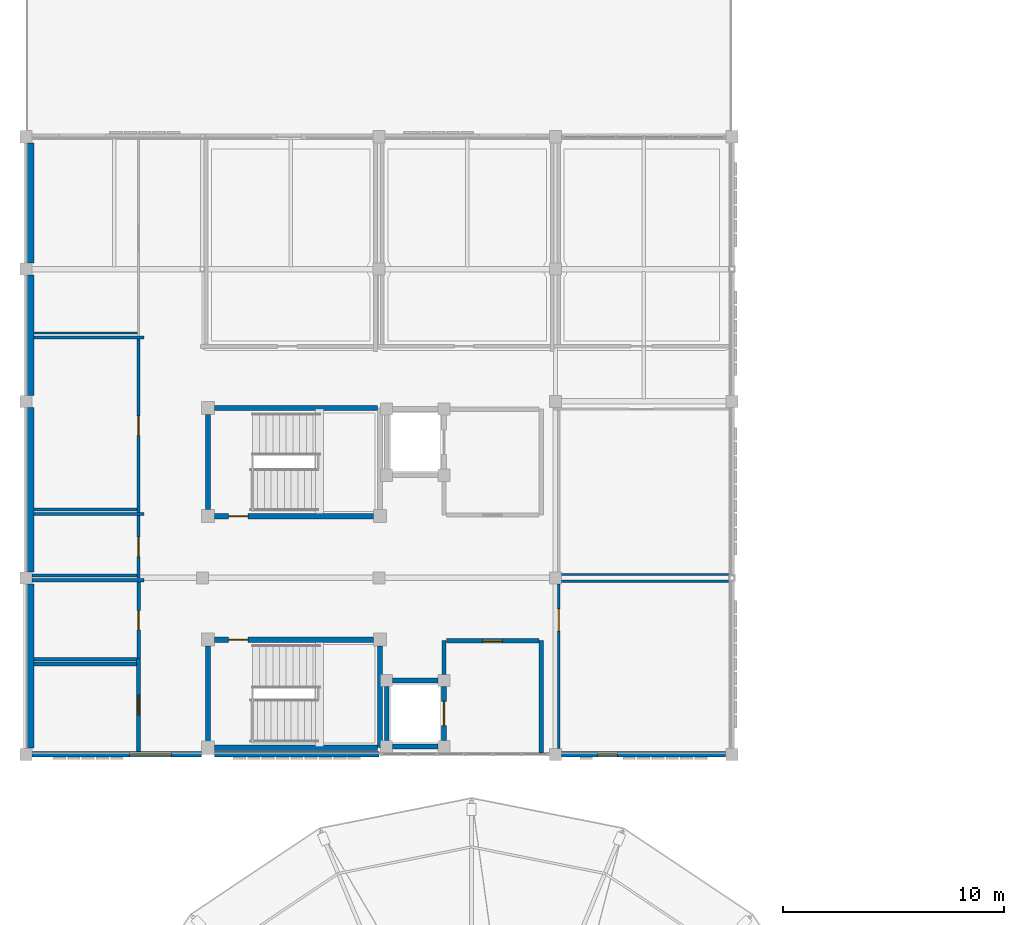
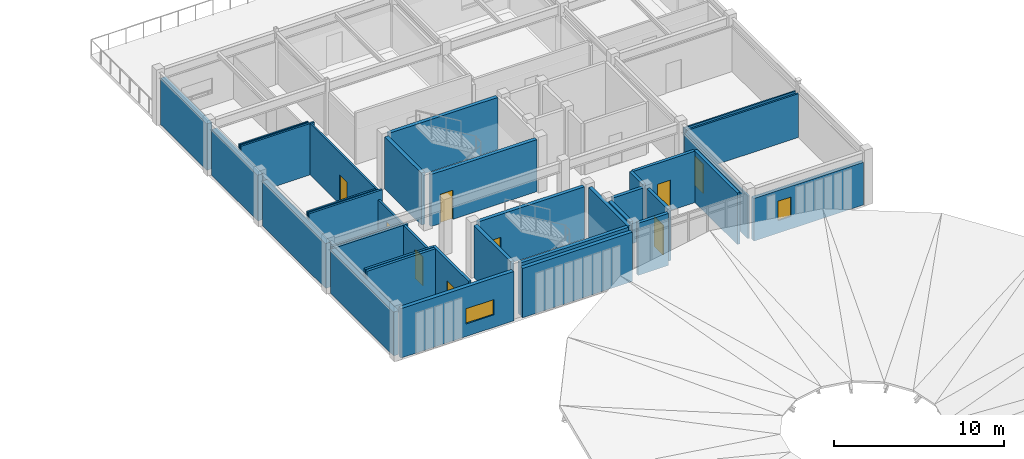
# One storey, part 26 of 31: 36 walls, 9 doors, 2 windows, 11 openings.
"""IFC4 building model written with IfcOpenShell, lengths in metres."""

from ifc_helpers import new_model, si_unit, direction, frame, frame_2d, origin, place, context, subcontext, project, spatial, rectangle, extrude, material, layer, layer_set, type_object, element, fill, save


model = new_model("IFC4")

# Units and contexts
model_context = context("Model", 3, precision=1e-05, world=origin(), true_north=direction((0.0, 1.0)))
body_context = subcontext(model_context, "Body", "Model", "MODEL_VIEW")
ifc_project = project(units=[si_unit("LENGTHUNIT", "METRE"), si_unit("AREAUNIT", "SQUARE_METRE"), si_unit("VOLUMEUNIT", "CUBIC_METRE"), si_unit("PLANEANGLEUNIT", "RADIAN"), si_unit("MASSUNIT", "GRAM", prefix="KILO")], contexts=[model_context])

# Site, building, storey
site_placement = place(None, origin())
site = spatial("IfcSite", under=ifc_project, at=site_placement, CompositionType="ELEMENT")
building_placement = place(site_placement, origin())
building = spatial("IfcBuilding", under=site, at=building_placement, Name="Celadon Cloister-Ring School", CompositionType="ELEMENT")
storey_placement = place(building_placement, frame((0.0, 0.0, 16.5)))
storey = spatial("IfcBuildingStorey", under=building, at=storey_placement, Name="L04", CompositionType="ELEMENT", Elevation=16.5)

# Wall, opening, window
ifc_material_1 = material(Name="Rendered concrete blockwork", Category="masonry")
ifc_layer_1 = layer(ifc_material_1, 0.260009765625)
ifc_layer_set_1 = layer_set([ifc_layer_1], Name="Rendered concrete blockwork")
wall_type_1 = type_object("IfcWallType", Name="WT-EX2", PredefinedType="SOLIDWALL", material=ifc_layer_set_1)
wall_1_placement = place(storey_placement, frame((31.722900390625, 40.0, 0.0), z_axis=(0.0, 0.0, 1.0), x_axis=(-1.0, 0.0, 0.0)))
wall_1 = element("IfcWall", 1, at=wall_1_placement, inside=storey, type_object=wall_type_1, Name="Exterior Wall 0550", PredefinedType="SOLIDWALL", context=body_context, shape_type="SweptSolid", body=[
    extrude(rectangle(XDim=7.44580078125, YDim=0.260009765625, at=frame_2d((3.722900390625, 0.0))), origin(), (0.0, 0.0, 1.0), 3.068115234375),
])
opening_1_placement = place(wall_1_placement, frame((4.910888671875, 0.0, 0.89990234375)))
opening_1 = element("IfcOpeningElement", 2, at=opening_1_placement, cuts=wall_1, Name="Opening WN-21", PredefinedType="OPENING", context=body_context, shape_type="SweptSolid", body=[
    extrude(rectangle(XDim=0.89990234375, YDim=1.39990234375, at=frame_2d((0.449951171875, 0.699951171875))), frame((0.0, 0.14013671875, 0.0), z_axis=(0.0, -1.0, 0.0), x_axis=(1.0, 0.0, 0.0)), (0.0, 0.0, 1.0), 0.280029296875),
])
ifc_material_2 = material(Name="Tempered laminated insulating glass", Category="glass")
window_type_1 = type_object("IfcWindowType", Name="WN-21", PartitioningType="SINGLE_PANEL", PredefinedType="WINDOW", material=ifc_material_2)
window_1_placement = place(opening_1_placement, origin())
window_1 = element("IfcWindow", 3, at=window_1_placement, inside=storey, type_object=window_type_1, Name="Window 1012", OverallHeight=1.39990234375, OverallWidth=0.89990234375, PartitioningType="SINGLE_PANEL", PredefinedType="WINDOW", context=body_context, shape_type="SweptSolid", body=[
    extrude(rectangle(XDim=0.89990234375, YDim=1.39990234375, at=frame_2d((0.449951171875, 0.699951171875))), frame((0.0, 0.030029296875, 0.0), z_axis=(0.0, -1.0, 0.0), x_axis=(1.0, 0.0, 0.0)), (0.0, 0.0, 1.0), 0.06005859375),
])
fill(opening_1, window_1)

# Wall
wall_2_placement = place(storey_placement, frame((16.0, 40.0, 0.0), z_axis=(0.0, 0.0, 1.0), x_axis=(-1.0, 0.0, 0.0)))
element("IfcWall", 4, at=wall_2_placement, inside=storey, type_object=wall_type_1, Name="Exterior Wall 0551", PredefinedType="SOLIDWALL", context=body_context, shape_type="SweptSolid", body=[
    extrude(rectangle(XDim=7.447998046875, YDim=0.260009765625, at=frame_2d((3.72412109375, 0.0))), origin(), (0.0, 0.0, 1.0), 3.550048828125),
])

# Wall, opening, window
wall_3_placement = place(storey_placement, frame((7.947998046875, 40.0, 0.0), z_axis=(0.0, 0.0, 1.0), x_axis=(-1.0, 0.0, 0.0)))
wall_3 = element("IfcWall", 5, at=wall_3_placement, inside=storey, type_object=wall_type_1, Name="Exterior Wall 0552", PredefinedType="SOLIDWALL", context=body_context, shape_type="SweptSolid", body=[
    extrude(rectangle(XDim=7.6708984375, YDim=0.260009765625, at=frame_2d((3.83544921875, 0.0))), origin(), (0.0, 0.0, 1.0), 3.550048828125),
])
opening_2_placement = place(wall_3_placement, frame((1.35107421875, 0.0, 0.89990234375)))
opening_2 = element("IfcOpeningElement", 6, at=opening_2_placement, cuts=wall_3, Name="Opening WN-08", PredefinedType="OPENING", context=body_context, shape_type="SweptSolid", body=[
    extrude(rectangle(XDim=1.89990234375, YDim=1.10009765625, at=frame_2d((0.949951171875, 0.550048828125))), frame((0.0, 0.14013671875, 0.0), z_axis=(0.0, -1.0, 0.0), x_axis=(1.0, 0.0, 0.0)), (0.0, 0.0, 1.0), 0.280029296875),
])
ifc_material_3 = material(Name="Tempered laminated insulating glass", Category="glass")
window_type_2 = type_object("IfcWindowType", Name="WN-08", PartitioningType="DOUBLE_PANEL_VERTICAL", PredefinedType="WINDOW", material=ifc_material_3)
window_2_placement = place(opening_2_placement, origin())
window_2 = element("IfcWindow", 7, at=window_2_placement, inside=storey, type_object=window_type_2, Name="Window 1013", OverallHeight=1.10009765625, OverallWidth=1.89990234375, PartitioningType="SINGLE_PANEL", PredefinedType="WINDOW", context=body_context, shape_type="SweptSolid", body=[
    extrude(rectangle(XDim=1.89990234375, YDim=1.10009765625, at=frame_2d((0.949951171875, 0.550048828125))), frame((0.0, 0.030029296875, 0.0), z_axis=(0.0, -1.0, 0.0), x_axis=(1.0, 0.0, 0.0)), (0.0, 0.0, 1.0), 0.06005859375),
])
fill(opening_2, window_2)

# Walls
ifc_material_4 = material(Name="Concrete C40/50", Category="concrete")
ifc_layer_2 = layer(ifc_material_4, 0.35009765625)
ifc_layer_set_2 = layer_set([ifc_layer_2], Name="Concrete C40/50")
wall_type_2 = type_object("IfcWallType", Name="WT-FW2", PredefinedType="SHEAR", material=ifc_layer_set_2)
wall_4_placement = place(storey_placement, frame((0.175048828125, 40.277099609375, 0.0), z_axis=(0.0, 0.0, 1.0), x_axis=(0.0, 1.0, 0.0)))
element("IfcWall", 8, at=wall_4_placement, inside=storey, type_object=wall_type_2, Name="Exterior Wall 0553", PredefinedType="SHEAR", context=body_context, shape_type="SweptSolid", body=[
    extrude(rectangle(XDim=7.44580078125, YDim=0.35009765625, at=frame_2d((3.722900390625, 0.0))), origin(), (0.0, 0.0, 1.0), 3.14892578125),
])
wall_5_placement = place(storey_placement, frame((0.175048828125, 48.277099609375, 0.0), z_axis=(0.0, 0.0, 1.0), x_axis=(0.0, 1.0, 0.0)))
element("IfcWall", 9, at=wall_5_placement, inside=storey, type_object=wall_type_2, Name="Exterior Wall 0554", PredefinedType="SHEAR", context=body_context, shape_type="SweptSolid", body=[
    extrude(rectangle(XDim=7.44580078125, YDim=0.35009765625, at=frame_2d((3.722900390625, 0.0))), origin(), (0.0, 0.0, 1.0), 3.222900390625),
])
wall_6_placement = place(storey_placement, frame((0.175048828125, 56.277099609375, 0.0), z_axis=(0.0, 0.0, 1.0), x_axis=(0.0, 1.0, 0.0)))
element("IfcWall", 10, at=wall_6_placement, inside=storey, type_object=wall_type_2, Name="Exterior Wall 0555", PredefinedType="SHEAR", context=body_context, shape_type="SweptSolid", body=[
    extrude(rectangle(XDim=5.44580078125, YDim=0.35009765625, at=frame_2d((2.722900390625, 0.0))), origin(), (0.0, 0.0, 1.0), 3.294921875),
])
wall_7_placement = place(storey_placement, frame((0.175048828125, 62.277099609375, 0.0), z_axis=(0.0, 0.0, 1.0), x_axis=(0.0, 1.0, 0.0)))
element("IfcWall", 11, at=wall_7_placement, inside=storey, type_object=wall_type_2, Name="Exterior Wall 0556", PredefinedType="SHEAR", context=body_context, shape_type="SweptSolid", body=[
    extrude(rectangle(XDim=5.44580078125, YDim=0.35009765625, at=frame_2d((2.722900390625, 0.0))), origin(), (0.0, 0.0, 1.0), 3.344970703125),
])
ifc_material_5 = material(Name="Plastered hollow concrete masonry", Category="masonry")
ifc_layer_3 = layer(ifc_material_5, 0.199951171875)
ifc_layer_set_3 = layer_set([ifc_layer_3], Name="Plastered hollow concrete masonry")
wall_type_3 = type_object("IfcWallType", Name="WT-PT1", PredefinedType="PARTITIONING", material=ifc_layer_set_3)
wall_8_placement = place(storey_placement, frame((18.949951171875, 43.616943359375, 0.0), z_axis=(0.0, 0.0, 1.0), x_axis=(0.0, 1.0, 0.0)))
element("IfcWall", 12, at=wall_8_placement, inside=storey, type_object=wall_type_3, Name="Interior Wall 0241", PredefinedType="PARTITIONING", context=body_context, shape_type="SweptSolid", body=[
    extrude(rectangle(XDim=1.532958984375, YDim=0.199951171875, at=frame_2d((0.7666015625, 0.0))), origin(), (0.0, 0.0, 1.0), 3.699951171875),
])
wall_9_placement = place(storey_placement, frame((23.35009765625, 40.05810546875, 0.0), z_axis=(0.0, 0.0, 1.0), x_axis=(0.0, 1.0, 0.0)))
element("IfcWall", 13, at=wall_9_placement, inside=storey, type_object=wall_type_3, Name="Interior Wall 0242", PredefinedType="PARTITIONING", context=body_context, shape_type="SweptSolid", body=[
    extrude(rectangle(XDim=5.091796875, YDim=0.199951171875, at=frame_2d((2.5458984375, 0.0))), origin(), (0.0, 0.0, 1.0), 3.699951171875),
])

# Wall, opening, door
wall_10_placement = place(storey_placement, frame((19.052978515625, 45.14990234375, 0.0), z_axis=(0.0, 0.0, 1.0), x_axis=(1.0, 0.0, 0.0)))
wall_10 = element("IfcWall", 14, at=wall_10_placement, inside=storey, type_object=wall_type_3, Name="Interior Wall 0243", PredefinedType="PARTITIONING", context=body_context, shape_type="SweptSolid", body=[
    extrude(rectangle(XDim=4.194091796875, YDim=0.199951171875, at=frame_2d((2.09716796875, 0.0))), origin(), (0.0, 0.0, 1.0), 3.699951171875),
])
opening_3_placement = place(wall_10_placement, frame((1.64697265625, 0.0, 0.0)))
opening_3 = element("IfcOpeningElement", 15, at=opening_3_placement, cuts=wall_10, Name="Opening D-0089", PredefinedType="OPENING", context=body_context, shape_type="SweptSolid", body=[
    extrude(rectangle(XDim=0.89990234375, YDim=2.199951171875, at=frame_2d((0.449951171875, 1.10009765625))), frame((0.0, 0.10986328125, 0.0), z_axis=(0.0, -1.0, 0.0), x_axis=(1.0, 0.0, 0.0)), (0.0, 0.0, 1.0), 0.219970703125),
])
ifc_material_6 = material(Name="Solid-core fire-rated hardwood leaf", Category="wood")
door_type_1 = type_object("IfcDoorType", Name="DT-06", OperationType="NOTDEFINED", PredefinedType="DOOR", material=ifc_material_6)
door_1_placement = place(opening_3_placement, origin())
door_1 = element("IfcDoor", 16, at=door_1_placement, inside=storey, type_object=door_type_1, Name="Door D-0089", OperationType="SINGLE_SWING_LEFT", OverallHeight=2.199951171875, OverallWidth=0.89990234375, PredefinedType="DOOR", context=body_context, shape_type="SweptSolid", body=[
    extrude(rectangle(XDim=0.89990234375, YDim=2.199951171875, at=frame_2d((0.449951171875, 1.10009765625))), frame((0.0, 0.02490234375, 0.0), z_axis=(0.0, -1.0, 0.0), x_axis=(1.0, 0.0, 0.0)), (0.0, 0.0, 1.0), 0.050048828125),
])
fill(opening_3, door_1)

ifc_material_7 = material(Name="Plastered hollow concrete masonry", Category="masonry")
ifc_layer_4 = layer(ifc_material_7, 0.179931640625)
ifc_layer_set_4 = layer_set([ifc_layer_4], Name="Plastered hollow concrete masonry")
wall_type_4 = type_object("IfcWallType", Name="WT-PT2", PredefinedType="PARTITIONING", material=ifc_layer_set_4)
wall_11_placement = place(storey_placement, frame((5.10009765625, 44.340087890625, 0.0), z_axis=(0.0, 0.0, 1.0), x_axis=(0.0, -1.0, 0.0)))
wall_11 = element("IfcWall", 17, at=wall_11_placement, inside=storey, type_object=wall_type_4, Name="Interior Wall 1134", PredefinedType="PARTITIONING", context=body_context, shape_type="SweptSolid", body=[
    extrude(rectangle(XDim=4.20703125, YDim=0.179931640625, at=frame_2d((2.103515625, 0.0))), origin(), (0.0, 0.0, 1.0), 3.699951171875),
])
opening_4_placement = place(wall_11_placement, frame((1.654052734375, 0.0, 0.0)))
opening_4 = element("IfcOpeningElement", 18, at=opening_4_placement, cuts=wall_11, Name="Opening D-0402", PredefinedType="OPENING", context=body_context, shape_type="SweptSolid", body=[
    extrude(rectangle(XDim=0.89990234375, YDim=2.199951171875, at=frame_2d((0.449951171875, 1.10009765625))), frame((0.0, 0.10009765625, 0.0), z_axis=(0.0, -1.0, 0.0), x_axis=(1.0, 0.0, 0.0)), (0.0, 0.0, 1.0), 0.199951171875),
])
door_2_placement = place(opening_4_placement, origin())
door_2 = element("IfcDoor", 19, at=door_2_placement, inside=storey, type_object=door_type_1, Name="Door D-0402", OperationType="SINGLE_SWING_RIGHT", OverallHeight=2.199951171875, OverallWidth=0.89990234375, PredefinedType="DOOR", context=body_context, shape_type="SweptSolid", body=[
    extrude(rectangle(XDim=0.89990234375, YDim=2.199951171875, at=frame_2d((0.449951171875, 1.10009765625))), frame((0.0, 0.02490234375, 0.0), z_axis=(0.0, -1.0, 0.0), x_axis=(1.0, 0.0, 0.0)), (0.0, 0.0, 1.0), 0.050048828125),
])
fill(opening_4, door_2)

# Walls
wall_12_placement = place(storey_placement, frame((0.35302734375, 44.10009765625, 0.0), z_axis=(0.0, 0.0, 1.0), x_axis=(1.0, 0.0, 0.0)))
element("IfcWall", 20, at=wall_12_placement, inside=storey, type_object=wall_type_4, Name="Interior Wall 1135", PredefinedType="PARTITIONING", context=body_context, shape_type="SweptSolid", body=[
    extrude(rectangle(XDim=4.654052734375, YDim=0.179931640625, at=frame_2d((2.3271484375, 0.0))), origin(), (0.0, 0.0, 1.0), 3.699951171875),
])
ifc_material_8 = material(Name="Plastered hollow concrete masonry", Category="masonry")
ifc_layer_5 = layer(ifc_material_8, 0.159912109375)
ifc_layer_set_5 = layer_set([ifc_layer_5], Name="Plastered hollow concrete masonry")
wall_type_5 = type_object("IfcWallType", Name="WT-PT3", PredefinedType="PARTITIONING", material=ifc_layer_set_5)
wall_13_placement = place(storey_placement, frame((0.26708984375, 47.89990234375, 0.0), z_axis=(0.0, 0.0, 1.0), x_axis=(1.0, 0.0, 0.0)))
element("IfcWall", 21, at=wall_13_placement, inside=storey, type_object=wall_type_5, Name="Interior Wall 1136", PredefinedType="PARTITIONING", context=body_context, shape_type="SweptSolid", body=[
    extrude(rectangle(XDim=5.072998046875, YDim=0.159912109375, at=frame_2d((2.53662109375, 0.0))), origin(), (0.0, 0.0, 1.0), 3.068115234375),
])

# Wall, opening, door
wall_14_placement = place(storey_placement, frame((5.10009765625, 47.81689453125, 0.0), z_axis=(0.0, 0.0, 1.0), x_axis=(0.0, -1.0, 0.0)))
wall_14 = element("IfcWall", 22, at=wall_14_placement, inside=storey, type_object=wall_type_5, Name="Interior Wall 1137", PredefinedType="PARTITIONING", context=body_context, shape_type="SweptSolid", body=[
    extrude(rectangle(XDim=3.476806640625, YDim=0.159912109375, at=frame_2d((1.73828125, 0.0))), origin(), (0.0, 0.0, 1.0), 3.068115234375),
])
opening_5_placement = place(wall_14_placement, frame((1.298095703125, 0.0, 0.0)))
opening_5 = element("IfcOpeningElement", 23, at=opening_5_placement, cuts=wall_14, Name="Opening D-0403", PredefinedType="OPENING", context=body_context, shape_type="SweptSolid", body=[
    extrude(rectangle(XDim=0.8798828125, YDim=2.10009765625, at=frame_2d((0.43994140625, 1.050048828125))), frame((0.0, 0.08984375, 0.0), z_axis=(0.0, -1.0, 0.0), x_axis=(1.0, 0.0, 0.0)), (0.0, 0.0, 1.0), 0.179931640625),
])
ifc_material_9 = material(Name="Solid-core fire-rated hardwood leaf", Category="wood")
door_type_2 = type_object("IfcDoorType", Name="DT-01", OperationType="NOTDEFINED", PredefinedType="DOOR", material=ifc_material_9)
door_3_placement = place(opening_5_placement, origin())
door_3 = element("IfcDoor", 24, at=door_3_placement, inside=storey, type_object=door_type_2, Name="Door D-0403", OperationType="SINGLE_SWING_LEFT", OverallHeight=2.10009765625, OverallWidth=0.8798828125, PredefinedType="DOOR", context=body_context, shape_type="SweptSolid", body=[
    extrude(rectangle(XDim=0.8798828125, YDim=2.10009765625, at=frame_2d((0.43994140625, 1.050048828125))), frame((0.0, 0.02490234375, 0.0), z_axis=(0.0, -1.0, 0.0), x_axis=(1.0, 0.0, 0.0)), (0.0, 0.0, 1.0), 0.050048828125),
])
fill(opening_5, door_3)

# Walls
wall_15_placement = place(storey_placement, frame((5.007080078125, 44.300048828125, 0.0), z_axis=(0.0, 0.0, 1.0), x_axis=(-1.0, 0.0, 0.0)))
element("IfcWall", 25, at=wall_15_placement, inside=storey, type_object=wall_type_5, Name="Interior Wall 1138", PredefinedType="PARTITIONING", context=body_context, shape_type="SweptSolid", body=[
    extrude(rectangle(XDim=4.654052734375, YDim=0.159912109375, at=frame_2d((2.3271484375, 0.0))), origin(), (0.0, 0.0, 1.0), 3.699951171875),
])
ifc_material_10 = material(Name="Acoustic mineral-wool drywall partition")
ifc_layer_6 = layer(ifc_material_10, 0.139892578125)
ifc_layer_set_6 = layer_set([ifc_layer_6], Name="Acoustic mineral-wool drywall partition")
wall_type_6 = type_object("IfcWallType", Name="WT-PT4", PredefinedType="PARTITIONING", material=ifc_layer_set_6)
wall_16_placement = place(storey_placement, frame((0.35302734375, 50.89990234375, 0.0), z_axis=(0.0, 0.0, 1.0), x_axis=(1.0, 0.0, 0.0)))
element("IfcWall", 26, at=wall_16_placement, inside=storey, type_object=wall_type_6, Name="Interior Wall 1139", PredefinedType="PARTITIONING", context=body_context, shape_type="SweptSolid", body=[
    extrude(rectangle(XDim=4.987060546875, YDim=0.139892578125, at=frame_2d((2.49365234375, 0.0))), origin(), (0.0, 0.0, 1.0), 3.699951171875),
])

# Wall, opening, door
wall_17_placement = place(storey_placement, frame((5.10009765625, 50.826904296875, 0.0), z_axis=(0.0, 0.0, 1.0), x_axis=(0.0, -1.0, 0.0)))
wall_17 = element("IfcWall", 27, at=wall_17_placement, inside=storey, type_object=wall_type_6, Name="Interior Wall 1140", PredefinedType="PARTITIONING", context=body_context, shape_type="SweptSolid", body=[
    extrude(rectangle(XDim=2.843994140625, YDim=0.139892578125, at=frame_2d((1.421875, 0.0))), origin(), (0.0, 0.0, 1.0), 3.068115234375),
])
opening_6_placement = place(wall_17_placement, frame((0.98193359375, 0.0, 0.0)))
opening_6 = element("IfcOpeningElement", 28, at=opening_6_placement, cuts=wall_17, Name="Opening D-0404", PredefinedType="OPENING", context=body_context, shape_type="SweptSolid", body=[
    extrude(rectangle(XDim=0.8798828125, YDim=2.10009765625, at=frame_2d((0.43994140625, 1.050048828125))), frame((0.0, 0.080078125, 0.0), z_axis=(0.0, -1.0, 0.0), x_axis=(1.0, 0.0, 0.0)), (0.0, 0.0, 1.0), 0.159912109375),
])
door_4_placement = place(opening_6_placement, origin())
door_4 = element("IfcDoor", 29, at=door_4_placement, inside=storey, type_object=door_type_2, Name="Door D-0404", OperationType="SINGLE_SWING_RIGHT", OverallHeight=2.10009765625, OverallWidth=0.8798828125, PredefinedType="DOOR", context=body_context, shape_type="SweptSolid", body=[
    extrude(rectangle(XDim=0.8798828125, YDim=2.10009765625, at=frame_2d((0.43994140625, 1.050048828125))), frame((0.0, 0.02490234375, 0.0), z_axis=(0.0, -1.0, 0.0), x_axis=(1.0, 0.0, 0.0)), (0.0, 0.0, 1.0), 0.050048828125),
])
fill(opening_6, door_4)

# Walls
wall_18_placement = place(storey_placement, frame((5.027099609375, 48.10009765625, 0.0), z_axis=(0.0, 0.0, 1.0), x_axis=(-1.0, 0.0, 0.0)))
element("IfcWall", 30, at=wall_18_placement, inside=storey, type_object=wall_type_6, Name="Interior Wall 1141", PredefinedType="PARTITIONING", context=body_context, shape_type="SweptSolid", body=[
    extrude(rectangle(XDim=4.760009765625, YDim=0.139892578125, at=frame_2d((2.3798828125, 0.0))), origin(), (0.0, 0.0, 1.0), 3.068115234375),
])
ifc_material_11 = material(Name="Acoustic mineral-wool drywall partition")
ifc_layer_7 = layer(ifc_material_11, 0.1201171875)
ifc_layer_set_7 = layer_set([ifc_layer_7], Name="Acoustic mineral-wool drywall partition")
wall_type_7 = type_object("IfcWallType", Name="WT-PT5", PredefinedType="PARTITIONING", material=ifc_layer_set_7)
wall_19_placement = place(storey_placement, frame((24.26708984375, 47.85009765625, 0.0), z_axis=(0.0, 0.0, 1.0), x_axis=(1.0, 0.0, 0.0)))
element("IfcWall", 31, at=wall_19_placement, inside=storey, type_object=wall_type_7, Name="Interior Wall 1129", PredefinedType="PARTITIONING", context=body_context, shape_type="SweptSolid", body=[
    extrude(rectangle(XDim=7.599853515625, YDim=0.1201171875, at=frame_2d((3.7998046875, 0.0))), origin(), (0.0, 0.0, 1.0), 3.14892578125),
])

# Wall, opening, door
wall_20_placement = place(storey_placement, frame((24.14990234375, 40.26708984375, 0.0), z_axis=(0.0, 0.0, 1.0), x_axis=(0.0, 1.0, 0.0)))
wall_20 = element("IfcWall", 32, at=wall_20_placement, inside=storey, type_object=wall_type_7, Name="Interior Wall 1130", PredefinedType="PARTITIONING", context=body_context, shape_type="SweptSolid", body=[
    extrude(rectangle(XDim=7.4658203125, YDim=0.1201171875, at=frame_2d((3.73291015625, 0.0))), origin(), (0.0, 0.0, 1.0), 3.068115234375),
])
opening_7_placement = place(wall_20_placement, frame((5.322998046875, 0.0, 0.0)))
opening_7 = element("IfcOpeningElement", 33, at=opening_7_placement, cuts=wall_20, Name="Opening D-0400", PredefinedType="OPENING", context=body_context, shape_type="SweptSolid", body=[
    extrude(rectangle(XDim=1.0, YDim=2.10009765625, at=frame_2d((0.5, 1.050048828125))), frame((0.0, 0.070068359375, 0.0), z_axis=(0.0, -1.0, 0.0), x_axis=(1.0, 0.0, 0.0)), (0.0, 0.0, 1.0), 0.14013671875),
])
ifc_material_12 = material(Name="Solid-core fire-rated hardwood leaf", Category="wood")
door_type_3 = type_object("IfcDoorType", Name="DT-04", OperationType="NOTDEFINED", PredefinedType="DOOR", material=ifc_material_12)
door_5_placement = place(opening_7_placement, origin())
door_5 = element("IfcDoor", 34, at=door_5_placement, inside=storey, type_object=door_type_3, Name="Door D-0400", OperationType="SINGLE_SWING_RIGHT", OverallHeight=2.10009765625, OverallWidth=1.0, PredefinedType="DOOR", context=body_context, shape_type="SweptSolid", body=[
    extrude(rectangle(XDim=1.0, YDim=2.10009765625, at=frame_2d((0.5, 1.050048828125))), frame((0.0, 0.02490234375, 0.0), z_axis=(0.0, -1.0, 0.0), x_axis=(1.0, 0.0, 0.0)), (0.0, 0.0, 1.0), 0.050048828125),
])
fill(opening_7, door_5)

# Wall
wall_21_placement = place(storey_placement, frame((0.35302734375, 58.89990234375, 0.0), z_axis=(0.0, 0.0, 1.0), x_axis=(1.0, 0.0, 0.0)))
element("IfcWall", 35, at=wall_21_placement, inside=storey, type_object=wall_type_7, Name="Interior Wall 1142", PredefinedType="PARTITIONING", context=body_context, shape_type="SweptSolid", body=[
    extrude(rectangle(XDim=4.987060546875, YDim=0.1201171875, at=frame_2d((2.49365234375, 0.0))), origin(), (0.0, 0.0, 1.0), 3.699951171875),
])

# Wall, opening, door
wall_22_placement = place(storey_placement, frame((5.10009765625, 58.8369140625, 0.0), z_axis=(0.0, 0.0, 1.0), x_axis=(0.0, -1.0, 0.0)))
wall_22 = element("IfcWall", 36, at=wall_22_placement, inside=storey, type_object=wall_type_7, Name="Interior Wall 1143", PredefinedType="PARTITIONING", context=body_context, shape_type="SweptSolid", body=[
    extrude(rectangle(XDim=7.864013671875, YDim=0.1201171875, at=frame_2d((3.93212890625, 0.0))), origin(), (0.0, 0.0, 1.0), 3.699951171875),
])
opening_8_placement = place(wall_22_placement, frame((3.491943359375, 0.0, 0.0)))
opening_8 = element("IfcOpeningElement", 37, at=opening_8_placement, cuts=wall_22, Name="Opening D-0405", PredefinedType="OPENING", context=body_context, shape_type="SweptSolid", body=[
    extrude(rectangle(XDim=0.8798828125, YDim=2.10009765625, at=frame_2d((0.43994140625, 1.050048828125))), frame((0.0, 0.070068359375, 0.0), z_axis=(0.0, -1.0, 0.0), x_axis=(1.0, 0.0, 0.0)), (0.0, 0.0, 1.0), 0.14013671875),
])
door_6_placement = place(opening_8_placement, origin())
door_6 = element("IfcDoor", 38, at=door_6_placement, inside=storey, type_object=door_type_2, Name="Door D-0405", OperationType="SINGLE_SWING_LEFT", OverallHeight=2.10009765625, OverallWidth=0.8798828125, PredefinedType="DOOR", context=body_context, shape_type="SweptSolid", body=[
    extrude(rectangle(XDim=0.8798828125, YDim=2.10009765625, at=frame_2d((0.43994140625, 1.050048828125))), frame((0.0, 0.02490234375, 0.0), z_axis=(0.0, -1.0, 0.0), x_axis=(1.0, 0.0, 0.0)), (0.0, 0.0, 1.0), 0.050048828125),
])
fill(opening_8, door_6)

# Walls
wall_23_placement = place(storey_placement, frame((5.037109375, 51.10009765625, 0.0), z_axis=(0.0, 0.0, 1.0), x_axis=(-1.0, 0.0, 0.0)))
element("IfcWall", 39, at=wall_23_placement, inside=storey, type_object=wall_type_7, Name="Interior Wall 1144", PredefinedType="PARTITIONING", context=body_context, shape_type="SweptSolid", body=[
    extrude(rectangle(XDim=4.68408203125, YDim=0.1201171875, at=frame_2d((2.342041015625, 0.0))), origin(), (0.0, 0.0, 1.0), 3.699951171875),
])
ifc_material_13 = material(Name="Acoustic mineral-wool drywall partition")
ifc_layer_8 = layer(ifc_material_13, 0.10009765625)
ifc_layer_set_8 = layer_set([ifc_layer_8], Name="Acoustic mineral-wool drywall partition")
wall_type_8 = type_object("IfcWallType", Name="WT-PT6", PredefinedType="PARTITIONING", material=ifc_layer_set_8)
wall_24_placement = place(storey_placement, frame((31.866943359375, 48.14990234375, 0.0), z_axis=(0.0, 0.0, 1.0), x_axis=(-1.0, 0.0, 0.0)))
element("IfcWall", 40, at=wall_24_placement, inside=storey, type_object=wall_type_8, Name="Interior Wall 1132", PredefinedType="PARTITIONING", context=body_context, shape_type="SweptSolid", body=[
    extrude(rectangle(XDim=7.599853515625, YDim=0.10009765625, at=frame_2d((3.7998046875, 0.0))), origin(), (0.0, 0.0, 1.0), 3.14892578125),
])
wall_25_placement = place(storey_placement, frame((5.047119140625, 59.10009765625, 0.0), z_axis=(0.0, 0.0, 1.0), x_axis=(-1.0, 0.0, 0.0)))
element("IfcWall", 41, at=wall_25_placement, inside=storey, type_object=wall_type_8, Name="Interior Wall 1146", PredefinedType="PARTITIONING", context=body_context, shape_type="SweptSolid", body=[
    extrude(rectangle(XDim=4.694091796875, YDim=0.10009765625, at=frame_2d((2.34716796875, 0.0))), origin(), (0.0, 0.0, 1.0), 3.699951171875),
])
ifc_material_14 = material(Name="Concrete C40/50", Category="concrete")
ifc_layer_9 = layer(ifc_material_14, 0.239990234375)
ifc_layer_set_9 = layer_set([ifc_layer_9], Name="Concrete C40/50")
wall_type_9 = type_object("IfcWallType", Name="WT-SH1", PredefinedType="SHEAR", material=ifc_layer_set_9)
wall_26_placement = place(storey_placement, frame((8.25, 40.592041015625, 0.0), z_axis=(0.0, 0.0, 1.0), x_axis=(0.0, 1.0, 0.0)))
element("IfcWall", 42, at=wall_26_placement, inside=storey, type_object=wall_type_9, Name="Interior Wall 0017", PredefinedType="SHEAR", context=body_context, shape_type="SweptSolid", body=[
    extrude(rectangle(XDim=4.31591796875, YDim=0.239990234375, at=frame_2d((2.157958984375, 0.0))), origin(), (0.0, 0.0, 1.0), 3.739990234375),
])
wall_27_placement = place(storey_placement, frame((16.050048828125, 44.907958984375, 0.0), z_axis=(0.0, 0.0, 1.0), x_axis=(0.0, -1.0, 0.0)))
element("IfcWall", 43, at=wall_27_placement, inside=storey, type_object=wall_type_9, Name="Interior Wall 0018", PredefinedType="SHEAR", context=body_context, shape_type="SweptSolid", body=[
    extrude(rectangle(XDim=4.60791015625, YDim=0.239990234375, at=frame_2d((2.303955078125, 0.0))), origin(), (0.0, 0.0, 1.0), 3.739990234375),
])
wall_28_placement = place(storey_placement, frame((15.927001953125, 40.300048828125, 0.0), z_axis=(0.0, 0.0, 1.0), x_axis=(-1.0, 0.0, 0.0)))
element("IfcWall", 44, at=wall_28_placement, inside=storey, type_object=wall_type_9, Name="Interior Wall 0019", PredefinedType="SHEAR", context=body_context, shape_type="SweptSolid", body=[
    extrude(rectangle(XDim=7.385009765625, YDim=0.239990234375, at=frame_2d((3.6923828125, 0.0))), origin(), (0.0, 0.0, 1.0), 3.739990234375),
])

# Wall, opening, door
wall_29_placement = place(storey_placement, frame((15.758056640625, 45.199951171875, 0.0), z_axis=(0.0, 0.0, 1.0), x_axis=(-1.0, 0.0, 0.0)))
wall_29 = element("IfcWall", 45, at=wall_29_placement, inside=storey, type_object=wall_type_9, Name="Interior Wall 0020", PredefinedType="SHEAR", context=body_context, shape_type="SweptSolid", body=[
    extrude(rectangle(XDim=7.216064453125, YDim=0.239990234375, at=frame_2d((3.60791015625, 0.0))), origin(), (0.0, 0.0, 1.0), 3.739990234375),
])
opening_9_placement = place(wall_29_placement, frame((5.694091796875, 0.0, 0.0)))
opening_9 = element("IfcOpeningElement", 46, at=opening_9_placement, cuts=wall_29, Name="Opening D-0037", PredefinedType="OPENING", context=body_context, shape_type="SweptSolid", body=[
    extrude(rectangle(XDim=0.8798828125, YDim=2.10009765625, at=frame_2d((0.43994140625, 1.050048828125))), frame((0.0, 0.1298828125, 0.0), z_axis=(0.0, -1.0, 0.0), x_axis=(1.0, 0.0, 0.0)), (0.0, 0.0, 1.0), 0.260009765625),
])
door_7_placement = place(opening_9_placement, origin())
door_7 = element("IfcDoor", 47, at=door_7_placement, inside=storey, type_object=door_type_2, Name="Door D-0037", OperationType="SINGLE_SWING_LEFT", OverallHeight=2.10009765625, OverallWidth=0.8798828125, PredefinedType="DOOR", context=body_context, shape_type="SweptSolid", body=[
    extrude(rectangle(XDim=0.8798828125, YDim=2.10009765625, at=frame_2d((0.43994140625, 1.050048828125))), frame((0.0, 0.02490234375, 0.0), z_axis=(0.0, -1.0, 0.0), x_axis=(1.0, 0.0, 0.0)), (0.0, 0.0, 1.0), 0.050048828125),
])
fill(opening_9, door_7)

# Wall
wall_30_placement = place(storey_placement, frame((8.25, 51.092041015625, 0.0), z_axis=(0.0, 0.0, 1.0), x_axis=(0.0, 1.0, 0.0)))
element("IfcWall", 48, at=wall_30_placement, inside=storey, type_object=wall_type_9, Name="Interior Wall 0041", PredefinedType="SHEAR", context=body_context, shape_type="SweptSolid", body=[
    extrude(rectangle(XDim=4.31591796875, YDim=0.239990234375, at=frame_2d((2.157958984375, 0.0))), origin(), (0.0, 0.0, 1.0), 3.739990234375),
])

# Wall, opening, door
wall_31_placement = place(storey_placement, frame((15.758056640625, 50.800048828125, 0.0), z_axis=(0.0, 0.0, 1.0), x_axis=(-1.0, 0.0, 0.0)))
wall_31 = element("IfcWall", 49, at=wall_31_placement, inside=storey, type_object=wall_type_9, Name="Interior Wall 0043", PredefinedType="SHEAR", context=body_context, shape_type="SweptSolid", body=[
    extrude(rectangle(XDim=7.216064453125, YDim=0.239990234375, at=frame_2d((3.60791015625, 0.0))), origin(), (0.0, 0.0, 1.0), 3.739990234375),
])
opening_10_placement = place(wall_31_placement, frame((5.694091796875, 0.0, 0.0)))
opening_10 = element("IfcOpeningElement", 50, at=opening_10_placement, cuts=wall_31, Name="Opening D-0043", PredefinedType="OPENING", context=body_context, shape_type="SweptSolid", body=[
    extrude(rectangle(XDim=0.8798828125, YDim=2.10009765625, at=frame_2d((0.43994140625, 1.050048828125))), frame((0.0, 0.1298828125, 0.0), z_axis=(0.0, -1.0, 0.0), x_axis=(1.0, 0.0, 0.0)), (0.0, 0.0, 1.0), 0.260009765625),
])
door_8_placement = place(opening_10_placement, origin())
door_8 = element("IfcDoor", 51, at=door_8_placement, inside=storey, type_object=door_type_2, Name="Door D-0043", OperationType="SINGLE_SWING_LEFT", OverallHeight=2.10009765625, OverallWidth=0.8798828125, PredefinedType="DOOR", context=body_context, shape_type="SweptSolid", body=[
    extrude(rectangle(XDim=0.8798828125, YDim=2.10009765625, at=frame_2d((0.43994140625, 1.050048828125))), frame((0.0, 0.02490234375, 0.0), z_axis=(0.0, -1.0, 0.0), x_axis=(1.0, 0.0, 0.0)), (0.0, 0.0, 1.0), 0.050048828125),
])
fill(opening_10, door_8)

# Walls
wall_32_placement = place(storey_placement, frame((15.927001953125, 55.699951171875, 0.0), z_axis=(0.0, 0.0, 1.0), x_axis=(-1.0, 0.0, 0.0)))
element("IfcWall", 52, at=wall_32_placement, inside=storey, type_object=wall_type_9, Name="Interior Wall 0044", PredefinedType="SHEAR", context=body_context, shape_type="SweptSolid", body=[
    extrude(rectangle(XDim=7.385009765625, YDim=0.239990234375, at=frame_2d((3.6923828125, 0.0))), origin(), (0.0, 0.0, 1.0), 3.739990234375),
])
ifc_material_15 = material(Name="Concrete C40/50", Category="concrete")
ifc_layer_10 = layer(ifc_material_15, 0.219970703125)
ifc_layer_set_10 = layer_set([ifc_layer_10], Name="Concrete C40/50")
wall_type_10 = type_object("IfcWallType", Name="WT-SH2", PredefinedType="SHEAR", material=ifc_layer_set_10)
wall_33_placement = place(storey_placement, frame((16.616943359375, 40.35009765625, 0.0), z_axis=(0.0, 0.0, 1.0), x_axis=(1.0, 0.0, 0.0)))
element("IfcWall", 53, at=wall_33_placement, inside=storey, type_object=wall_type_10, Name="Interior Wall 0237", PredefinedType="SHEAR", context=body_context, shape_type="SweptSolid", body=[
    extrude(rectangle(XDim=2.066162109375, YDim=0.219970703125, at=frame_2d((1.033203125, 0.0))), origin(), (0.0, 0.0, 1.0), 3.739990234375),
])

# Wall, opening, door
wall_34_placement = place(storey_placement, frame((18.949951171875, 40.616943359375, 0.0), z_axis=(0.0, 0.0, 1.0), x_axis=(0.0, 1.0, 0.0)))
wall_34 = element("IfcWall", 54, at=wall_34_placement, inside=storey, type_object=wall_type_10, Name="Interior Wall 0238", PredefinedType="SHEAR", context=body_context, shape_type="SweptSolid", body=[
    extrude(rectangle(XDim=2.466064453125, YDim=0.219970703125, at=frame_2d((1.23291015625, 0.0))), origin(), (0.0, 0.0, 1.0), 3.739990234375),
])
opening_11_placement = place(wall_34_placement, frame((0.68310546875, 0.0, 0.0)))
opening_11 = element("IfcOpeningElement", 55, at=opening_11_placement, cuts=wall_34, Name="Opening LD-005", PredefinedType="OPENING", context=body_context, shape_type="SweptSolid", body=[
    extrude(rectangle(XDim=1.10009765625, YDim=2.14990234375, at=frame_2d((0.550048828125, 1.074951171875))), frame((0.0, 0.1201171875, 0.0), z_axis=(0.0, -1.0, 0.0), x_axis=(1.0, 0.0, 0.0)), (0.0, 0.0, 1.0), 0.239990234375),
])
ifc_material_16 = material(Name="Galvanised fire-rated hollow steel leaf", Category="steel")
door_type_4 = type_object("IfcDoorType", Name="DT-LD1", OperationType="DOUBLE_DOOR_SLIDING", PredefinedType="DOOR", material=ifc_material_16)
door_9_placement = place(opening_11_placement, origin())
door_9 = element("IfcDoor", 56, at=door_9_placement, inside=storey, type_object=door_type_4, Name="Door LD-005", OperationType="DOUBLE_DOOR_SLIDING", OverallHeight=2.14990234375, OverallWidth=1.10009765625, PredefinedType="DOOR", context=body_context, shape_type="SweptSolid", body=[
    extrude(rectangle(XDim=1.10009765625, YDim=2.14990234375, at=frame_2d((0.550048828125, 1.074951171875))), frame((0.0, 0.02490234375, 0.0), z_axis=(0.0, -1.0, 0.0), x_axis=(1.0, 0.0, 0.0)), (0.0, 0.0, 1.0), 0.050048828125),
])
fill(opening_11, door_9)

# Walls
wall_35_placement = place(storey_placement, frame((18.68310546875, 43.35009765625, 0.0), z_axis=(0.0, 0.0, 1.0), x_axis=(-1.0, 0.0, 0.0)))
element("IfcWall", 57, at=wall_35_placement, inside=storey, type_object=wall_type_10, Name="Interior Wall 0239", PredefinedType="SHEAR", context=body_context, shape_type="SweptSolid", body=[
    extrude(rectangle(XDim=2.066162109375, YDim=0.219970703125, at=frame_2d((1.033203125, 0.0))), origin(), (0.0, 0.0, 1.0), 3.739990234375),
])
wall_36_placement = place(storey_placement, frame((16.35009765625, 43.0830078125, 0.0), z_axis=(0.0, 0.0, 1.0), x_axis=(0.0, -1.0, 0.0)))
element("IfcWall", 58, at=wall_36_placement, inside=storey, type_object=wall_type_10, Name="Interior Wall 0240", PredefinedType="SHEAR", context=body_context, shape_type="SweptSolid", body=[
    extrude(rectangle(XDim=2.466064453125, YDim=0.219970703125, at=frame_2d((1.23291015625, 0.0))), origin(), (0.0, 0.0, 1.0), 3.739990234375),
])

save(model, "model.ifc")
